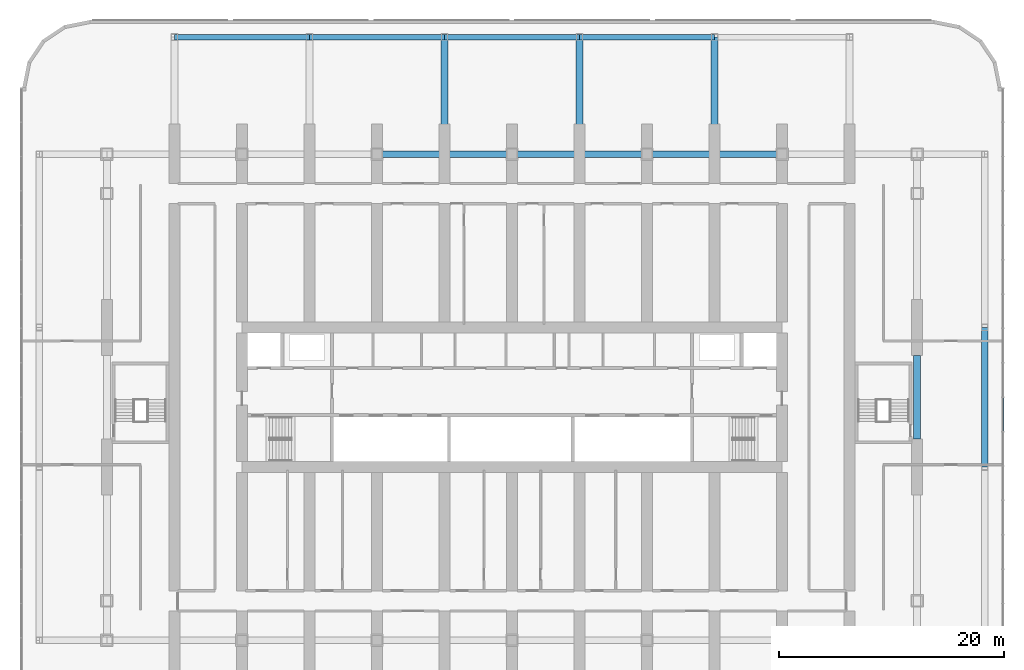
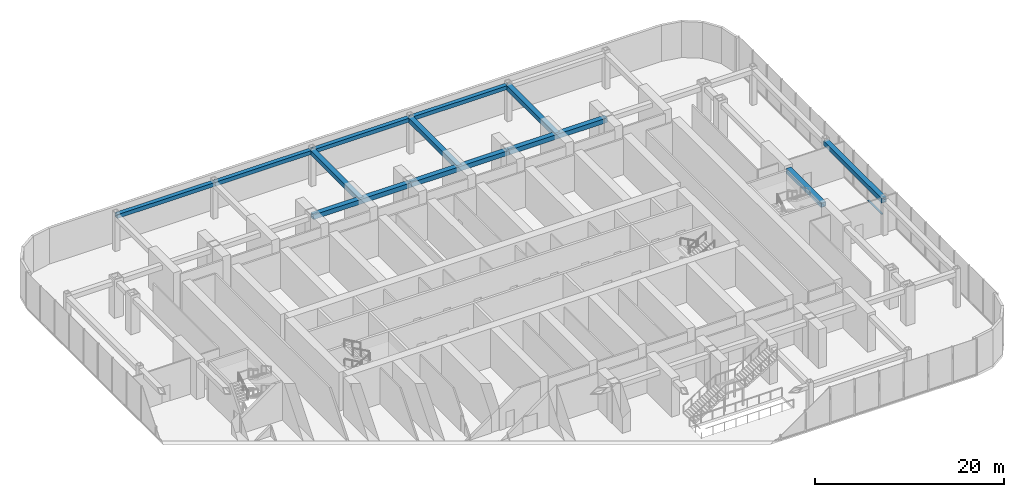
# One storey, part 10 of 37: 12 beams, 1 member, 1 element without a shape of its own.
"""IFC4 building model written with IfcOpenShell, lengths in metres."""

from ifc_helpers import new_model, si_unit, direction, frame, origin, origin_2d, place, context, subcontext, project, spatial, rectangle, hollow_rectangle, extrude, material, material_profile, profile_set, type_object, element, aggregate, save


model = new_model("IFC4")

# Units and contexts
model_context = context("Model", 3, precision=1e-05, world=origin(), true_north=direction((0.0, 1.0)))
body_context = subcontext(model_context, "Body", "Model", "MODEL_VIEW")
ifc_project = project(units=[si_unit("LENGTHUNIT", "METRE"), si_unit("AREAUNIT", "SQUARE_METRE"), si_unit("VOLUMEUNIT", "CUBIC_METRE"), si_unit("PLANEANGLEUNIT", "RADIAN"), si_unit("MASSUNIT", "GRAM", prefix="KILO")], contexts=[model_context])

# Site, building, storey
site_placement = place(None, origin())
site = spatial("IfcSite", under=ifc_project, at=site_placement, CompositionType="ELEMENT")
building_placement = place(site_placement, origin())
building = spatial("IfcBuilding", under=site, at=building_placement, Name="Orbita Commons", CompositionType="ELEMENT")
storey_placement = place(building_placement, frame((0.0, 0.0, 6.0)))
storey = spatial("IfcBuildingStorey", under=building, at=storey_placement, Name="L01", CompositionType="ELEMENT", Elevation=6.0)

# Curtain wall, member
ifc_material_1 = material(Name="Anodised aluminium frame, pale silver", Category="aluminium")
curtain_wall_type = type_object("IfcCurtainWallType", Name="Podium storefront curtain wall CW-P", PredefinedType="NOTDEFINED", material=ifc_material_1)
curtain_wall_placement = place(storey_placement, origin())
curtain_wall = element("IfcCurtainWall", 1, at=curtain_wall_placement, inside=storey, type_object=curtain_wall_type, Name="Curtain wall E 1 L01", PredefinedType="NOTDEFINED")
ifc_material_2 = material(Name="Anodised aluminium, pale silver", Category="aluminium")
ifc_material_profile_1 = material_profile(ifc_material_2, rectangle(XDim=0.219970703125, YDim=0.10009765625, at=origin_2d()), Name="AL 220x100")
ifc_profile_set_1 = profile_set([ifc_material_profile_1], Name="Anodised aluminium, pale silver")
member_type = type_object("IfcMemberType", Name="Curtain wall stack transom 220x100", PredefinedType="USERDEFINED", material=ifc_profile_set_1)
member_placement = place(storey_placement, frame((85.610107421875, 28.984375, 0.050048828125), z_axis=(0.0, 1.0, 0.0), x_axis=(-1.0, 0.0, 0.0)))
member = element("IfcMember", 2, at=member_placement, type_object=member_type, Name="Transom 9.1 CW-L01-E0", ObjectType="TRANSOM", PredefinedType="USERDEFINED", context=body_context, shape_type="SweptSolid", body=[
    extrude(rectangle(XDim=0.219970703125, YDim=0.10009765625, at=origin_2d()), origin(), (0.0, 0.0, 1.0), 2.9755859375),
])
aggregate(curtain_wall, [member])

# Beams
ifc_material_3 = material(Name="Steel ASTM A572 Gr 50 welded plate", Category="steel")
ifc_material_profile_2 = material_profile(ifc_material_3, hollow_rectangle(XDim=0.5, YDim=0.5, WallThickness=0.050048828125, at=origin_2d()), Name="BOX 500x500x50")
ifc_profile_set_2 = profile_set([ifc_material_profile_2], Name="Steel ASTM A572 Gr 50 welded plate")
beam_type_1 = type_object("IfcBeamType", Name="Steel edge beam BOX 500x500x50", PredefinedType="SPANDREL", material=ifc_profile_set_2)
for number, where, z_axis, x_axis, name in (
    (3, (12.0, 64.0, 4.39990234375), (1.0, 0.0, 0.0), (0.0, 1.0, 0.0), "Edge beam F 3-5 L01"),
    (4, (24.0, 64.0, 4.39990234375), (1.0, 0.0, 0.0), (0.0, 1.0, 0.0), "Edge beam F 5-7 L01"),
    (5, (36.0, 64.0, 4.39990234375), (1.0, 0.0, 0.0), (0.0, 1.0, 0.0), "Edge beam F 7-9 L01"),
    (6, (48.0, 64.0, 4.39990234375), (1.0, 0.0, 0.0), (0.0, 1.0, 0.0), "Edge beam F 9-11 L01"),
):
    element("IfcBeam", number, at=place(storey_placement, frame(where, z_axis=z_axis, x_axis=x_axis)), inside=storey, type_object=beam_type_1, Name=name, PredefinedType="SPANDREL", context=body_context, shape_type="SweptSolid", body=[
        extrude(hollow_rectangle(XDim=0.5, YDim=0.5, WallThickness=0.050048828125, at=origin_2d()), origin(), (0.0, 0.0, 1.0), 12.0),
    ])
ifc_material_4 = material(Name="Steel ASTM A572 Gr 50 welded plate", Category="steel")
ifc_material_profile_3 = material_profile(ifc_material_4, hollow_rectangle(XDim=0.60009765625, YDim=0.60009765625, WallThickness=0.06005859375, at=origin_2d()), Name="BOX 600x600x60")
ifc_profile_set_3 = profile_set([ifc_material_profile_3], Name="Steel ASTM A572 Gr 50 welded plate")
beam_type_2 = type_object("IfcBeamType", Name="Steel podium beam BOX 600x600x60", PredefinedType="BEAM", material=ifc_profile_set_3)
for number, where, z_axis, x_axis, name in (
    (7, (30.0, 53.60009765625, 4.35009765625), (1.0, 0.0, 0.0), (0.0, 1.0, 0.0), "Podium beam E 6-8 L01"),
    (8, (42.0, 53.60009765625, 4.35009765625), (1.0, 0.0, 0.0), (0.0, 1.0, 0.0), "Podium beam E 8-10 L01"),
    (9, (54.0, 53.60009765625, 4.35009765625), (1.0, 0.0, 0.0), (0.0, 1.0, 0.0), "Podium beam E 10-12 L01"),
):
    element("IfcBeam", number, at=place(storey_placement, frame(where, z_axis=z_axis, x_axis=x_axis)), inside=storey, type_object=beam_type_2, Name=name, PredefinedType="BEAM", context=body_context, shape_type="SweptSolid", body=[
        extrude(hollow_rectangle(XDim=0.60009765625, YDim=0.60009765625, WallThickness=0.06005859375, at=origin_2d()), origin(), (0.0, 0.0, 1.0), 12.0),
    ])
for number, where, z_axis, x_axis, name in (
    (10, (36.0, 53.60009765625, 4.35009765625), (0.0, 1.0, 0.0), (-1.0, 0.0, 0.0), "Podium beam 7 E-F L01"),
    (11, (48.0, 53.60009765625, 4.35009765625), (0.0, 1.0, 0.0), (-1.0, 0.0, 0.0), "Podium beam 9 E-F L01"),
    (12, (60.0, 53.60009765625, 4.35009765625), (0.0, 1.0, 0.0), (-1.0, 0.0, 0.0), "Podium beam 11 E-F L01"),
):
    element("IfcBeam", number, at=place(storey_placement, frame(where, z_axis=z_axis, x_axis=x_axis)), inside=storey, type_object=beam_type_2, Name=name, PredefinedType="BEAM", context=body_context, shape_type="SweptSolid", body=[
        extrude(hollow_rectangle(XDim=0.60009765625, YDim=0.60009765625, WallThickness=0.06005859375, at=origin_2d()), origin(), (0.0, 0.0, 1.0), 10.39990234375),
    ])
beam_1_placement = place(storey_placement, frame((84.0, 25.800048828125, 4.35009765625), z_axis=(0.0, 1.0, 0.0), x_axis=(-1.0, 0.0, 0.0)))
element("IfcBeam", 13, at=beam_1_placement, inside=storey, type_object=beam_type_2, Name="Podium beam 15 C-D L01", PredefinedType="BEAM", context=body_context, shape_type="SweptSolid", body=[
    extrude(hollow_rectangle(XDim=0.60009765625, YDim=0.60009765625, WallThickness=0.06005859375, at=origin_2d()), origin(), (0.0, 0.0, 1.0), 12.39990234375),
])
beam_2_placement = place(storey_placement, frame((78.0, 28.300048828125, 4.35009765625), z_axis=(0.0, 1.0, 0.0), x_axis=(-1.0, 0.0, 0.0)))
element("IfcBeam", 14, at=beam_2_placement, inside=storey, type_object=beam_type_2, Name="Podium beam 14 C-D L01", PredefinedType="BEAM", context=body_context, shape_type="SweptSolid", body=[
    extrude(hollow_rectangle(XDim=0.60009765625, YDim=0.60009765625, WallThickness=0.06005859375, at=origin_2d()), origin(), (0.0, 0.0, 1.0), 7.39990234375),
])

save(model, "model.ifc")
